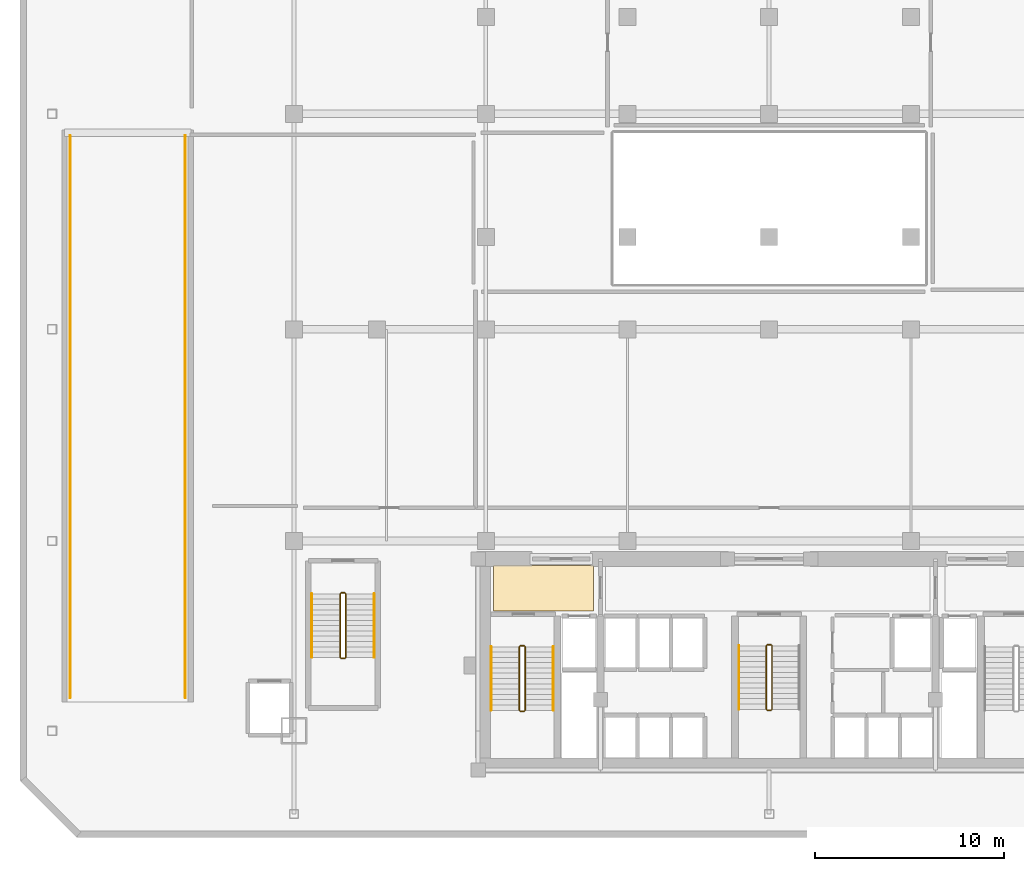
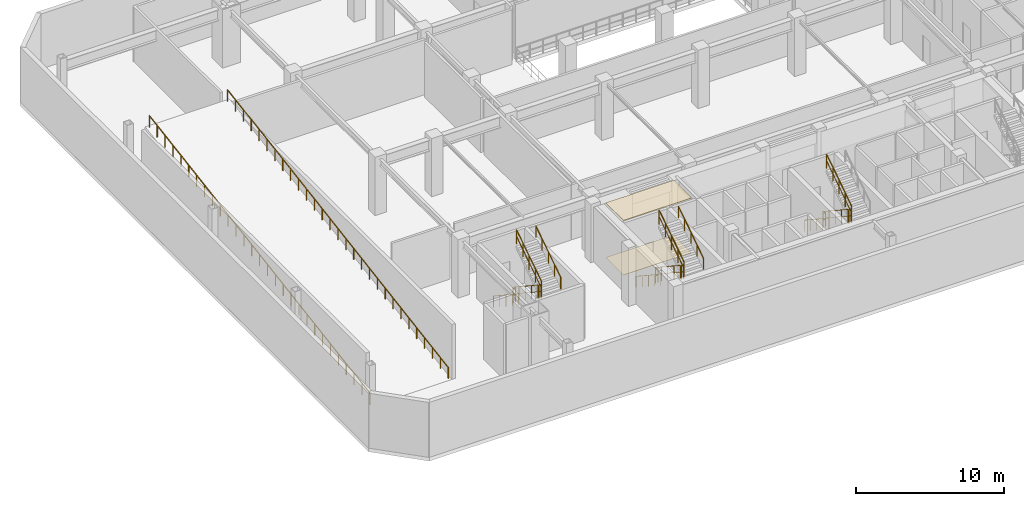
# One storey, part 15 of 16: 19 railings, 2 coverings.
"""IFC4 building model written with IfcOpenShell, lengths in metres."""

from ifc_helpers import new_model, si_unit, direction, frame, origin, origin_2d, place, context, subcontext, project, spatial, polyline, circle, outline, extrude, material, layer, layer_set, type_object, element, save


model = new_model("IFC4")

# Units and contexts
model_context = context("Model", 3, precision=1e-05, world=origin(), true_north=direction((0.0, 1.0)))
body_context = subcontext(model_context, "Body", "Model", "MODEL_VIEW")
ifc_project = project(units=[si_unit("LENGTHUNIT", "METRE"), si_unit("AREAUNIT", "SQUARE_METRE"), si_unit("VOLUMEUNIT", "CUBIC_METRE"), si_unit("PLANEANGLEUNIT", "RADIAN"), si_unit("MASSUNIT", "GRAM", prefix="KILO")], contexts=[model_context])

# Site, building, storey
site_placement = place(None, origin())
site = spatial("IfcSite", under=ifc_project, at=site_placement, CompositionType="ELEMENT")
building_placement = place(site_placement, origin())
building = spatial("IfcBuilding", under=site, at=building_placement, Name="Ventersveld Concourse Tower", CompositionType="ELEMENT")
storey_placement = place(building_placement, frame((0.0, 0.0, 10.199951171875)))
storey = spatial("IfcBuildingStorey", under=building, at=storey_placement, Name="L02", CompositionType="ELEMENT", Elevation=10.199951171875)

# Coverings
ifc_material_1 = material(Name="Mineral-fibre acoustic ceiling tile", Category="gypsum")
ifc_layer_1 = layer(ifc_material_1, 0.0400390625)
ifc_layer_set_1 = layer_set([ifc_layer_1], Name="Mineral-fibre acoustic ceiling tile")
covering_type_1 = type_object("IfcCoveringType", Name="COV-CEIL-ACOUSTIC", PredefinedType="CEILING", material=ifc_layer_set_1)
covering_1_placement = place(storey_placement, frame((0.0, 0.0, 4.47998046875)))
element("IfcCovering", 1, at=covering_1_placement, inside=storey, type_object=covering_type_1, Name="L02 West Firefighting Lobby Acoustic Ceiling", PredefinedType="CEILING", context=body_context, shape_type="SweptSolid", body=[
    extrude(outline(polyline([(14.14990234375, 8.699951171875), (19.449951171875, 8.699951171875), (19.449951171875, 11.10009765625), (14.14990234375, 11.10009765625), (14.14990234375, 8.699951171875)])), origin(), (0.0, 0.0, 1.0), 0.0400390625),
])
ifc_material_2 = material(Name="Polished Highveld granite terrazzo", Category="masonry")
ifc_layer_2 = layer(ifc_material_2, 0.02001953125)
ifc_layer_set_2 = layer_set([ifc_layer_2], Name="Polished Highveld granite terrazzo")
covering_type_2 = type_object("IfcCoveringType", Name="COV-FLOOR-TERRAZZO", PredefinedType="FLOORING", material=ifc_layer_set_2)
covering_2_placement = place(storey_placement, origin())
element("IfcCovering", 2, at=covering_2_placement, inside=storey, type_object=covering_type_2, Name="L02 West Firefighting Lobby Terrazzo Flooring", PredefinedType="FLOORING", context=body_context, shape_type="SweptSolid", body=[
    extrude(outline(polyline([(14.14990234375, 8.699951171875), (19.449951171875, 8.699951171875), (19.449951171875, 11.10009765625), (14.14990234375, 11.10009765625), (14.14990234375, 8.699951171875)])), origin(), (0.0, 0.0, 1.0), 0.02001953125),
])

# Railings
ifc_material_3 = material(Name="Brushed stainless steel 316", Category="steel")
railing_type_1 = type_object("IfcRailingType", Name="GD-BAL-115", PredefinedType="GUARDRAIL", material=ifc_material_3)
railing_1_placement = place(storey_placement, frame((15.530029296875, 6.800048828125, 0.1845703125)))
element("IfcRailing", 3, at=railing_1_placement, inside=storey, type_object=railing_type_1, Name="L02 ST-01 stair guard 1", PredefinedType="GUARDRAIL", context=body_context, shape_type="SweptSolid", body=[
    extrude(circle(Radius=0.02392578125, at=origin_2d()), frame((0.0, 0.0, 1.1259765625), z_axis=(0.0, -0.834848600103, 0.550479622607), x_axis=(1.0, 0.0, 0.0)), (0.0, 0.0, 1.0), 4.02490234375),
    extrude(circle(Radius=0.01611328125, at=origin_2d()), frame((0.0, 0.0, 0.574951171875), z_axis=(0.0, -0.834848600103, 0.550479622607), x_axis=(1.0, 0.0, 0.0)), (0.0, 0.0, 1.0), 4.02490234375),
    extrude(circle(Radius=0.02099609375, at=origin_2d()), origin(), (0.0, 0.0, 1.0), 1.101806640625),
    extrude(circle(Radius=0.02099609375, at=origin_2d()), frame((0.0, -0.840087890625, 0.553955078125)), (0.0, 0.0, 1.0), 1.101806640625),
    extrude(circle(Radius=0.02099609375, at=origin_2d()), frame((0.0, -1.68017578125, 1.10791015625)), (0.0, 0.0, 1.0), 1.101806640625),
    extrude(circle(Radius=0.02099609375, at=origin_2d()), frame((0.0, -2.52001953125, 1.66162109375)), (0.0, 0.0, 1.0), 1.101806640625),
    extrude(circle(Radius=0.02099609375, at=origin_2d()), frame((0.0, -3.360107421875, 2.215576171875)), (0.0, 0.0, 1.0), 1.101806640625),
])
railing_2_placement = place(storey_placement, frame((15.580078125, 3.389892578125, 2.400146484375)))
element("IfcRailing", 4, at=railing_2_placement, inside=storey, type_object=railing_type_1, Name="L02 ST-01 stair guard 2", PredefinedType="GUARDRAIL", context=body_context, shape_type="SweptSolid", body=[
    extrude(circle(Radius=0.02392578125, at=origin_2d()), frame((0.0, 0.0, 1.1259765625), z_axis=(1.0, 0.0, 0.0), x_axis=(0.0, 1.0, 0.0)), (0.0, 0.0, 1.0), 0.199951171875),
    extrude(circle(Radius=0.01611328125, at=origin_2d()), frame((0.0, 0.0, 0.574951171875), z_axis=(1.0, 0.0, 0.0), x_axis=(0.0, 1.0, 0.0)), (0.0, 0.0, 1.0), 0.199951171875),
    extrude(circle(Radius=0.02099609375, at=origin_2d()), origin(), (0.0, 0.0, 1.0), 1.101806640625),
    extrude(circle(Radius=0.02099609375, at=origin_2d()), frame((0.199951171875, 0.0, 0.0)), (0.0, 0.0, 1.0), 1.101806640625),
])
railing_3_placement = place(storey_placement, frame((15.830078125, 3.43994140625, 2.584716796875)))
element("IfcRailing", 5, at=railing_3_placement, inside=storey, type_object=railing_type_1, Name="L02 ST-01 stair guard 3", PredefinedType="GUARDRAIL", context=body_context, shape_type="SweptSolid", body=[
    extrude(circle(Radius=0.02392578125, at=origin_2d()), frame((0.0, 0.0, 1.1259765625), z_axis=(0.0, 0.834876476806, 0.550437342915), x_axis=(-1.0, 0.0, 0.0)), (0.0, 0.0, 1.0), 4.024658203125),
    extrude(circle(Radius=0.01611328125, at=origin_2d()), frame((0.0, 0.0, 0.574951171875), z_axis=(0.0, 0.834876476806, 0.550437342915), x_axis=(-1.0, 0.0, 0.0)), (0.0, 0.0, 1.0), 4.024658203125),
    extrude(circle(Radius=0.02099609375, at=origin_2d()), origin(), (0.0, 0.0, 1.0), 1.101806640625),
    extrude(circle(Radius=0.02099609375, at=origin_2d()), frame((0.0, 0.840087890625, 0.5537109375)), (0.0, 0.0, 1.0), 1.101806640625),
    extrude(circle(Radius=0.02099609375, at=origin_2d()), frame((0.0, 1.68017578125, 1.107666015625)), (0.0, 0.0, 1.0), 1.101806640625),
    extrude(circle(Radius=0.02099609375, at=origin_2d()), frame((0.0, 2.52001953125, 1.66162109375)), (0.0, 0.0, 1.0), 1.101806640625),
    extrude(circle(Radius=0.02099609375, at=origin_2d()), frame((0.0, 3.360107421875, 2.21533203125)), (0.0, 0.0, 1.0), 1.101806640625),
])
railing_4_placement = place(storey_placement, frame((15.580078125, 6.85009765625, 0.0)))
element("IfcRailing", 6, at=railing_4_placement, inside=storey, type_object=railing_type_1, Name="L02 ST-01 stair guard 4", PredefinedType="GUARDRAIL", context=body_context, shape_type="SweptSolid", body=[
    extrude(circle(Radius=0.02392578125, at=origin_2d()), frame((0.0, 0.0, 1.1259765625), z_axis=(1.0, 0.0, 0.0), x_axis=(0.0, 1.0, 0.0)), (0.0, 0.0, 1.0), 0.199951171875),
    extrude(circle(Radius=0.01611328125, at=origin_2d()), frame((0.0, 0.0, 0.574951171875), z_axis=(1.0, 0.0, 0.0), x_axis=(0.0, 1.0, 0.0)), (0.0, 0.0, 1.0), 0.199951171875),
    extrude(circle(Radius=0.02099609375, at=origin_2d()), origin(), (0.0, 0.0, 1.0), 1.101806640625),
    extrude(circle(Radius=0.02099609375, at=origin_2d()), frame((0.199951171875, 0.0, 0.0)), (0.0, 0.0, 1.0), 1.101806640625),
])
railing_5_placement = place(storey_placement, frame((28.60009765625, 6.85009765625, 0.1845703125)))
element("IfcRailing", 7, at=railing_5_placement, inside=storey, type_object=railing_type_1, Name="L02 ST-03 stair guard 1", PredefinedType="GUARDRAIL", context=body_context, shape_type="SweptSolid", body=[
    extrude(circle(Radius=0.02392578125, at=origin_2d()), frame((0.0, 0.0, 1.1259765625), z_axis=(0.0, -0.834848600103, 0.550479622607), x_axis=(1.0, 0.0, 0.0)), (0.0, 0.0, 1.0), 4.02490234375),
    extrude(circle(Radius=0.01611328125, at=origin_2d()), frame((0.0, 0.0, 0.574951171875), z_axis=(0.0, -0.834848600103, 0.550479622607), x_axis=(1.0, 0.0, 0.0)), (0.0, 0.0, 1.0), 4.02490234375),
    extrude(circle(Radius=0.02099609375, at=origin_2d()), origin(), (0.0, 0.0, 1.0), 1.101806640625),
    extrude(circle(Radius=0.02099609375, at=origin_2d()), frame((0.0, -0.840087890625, 0.553955078125)), (0.0, 0.0, 1.0), 1.101806640625),
    extrude(circle(Radius=0.02099609375, at=origin_2d()), frame((0.0, -1.68017578125, 1.10791015625)), (0.0, 0.0, 1.0), 1.101806640625),
    extrude(circle(Radius=0.02099609375, at=origin_2d()), frame((0.0, -2.52001953125, 1.66162109375)), (0.0, 0.0, 1.0), 1.101806640625),
    extrude(circle(Radius=0.02099609375, at=origin_2d()), frame((0.0, -3.360107421875, 2.215576171875)), (0.0, 0.0, 1.0), 1.101806640625),
])
railing_6_placement = place(storey_placement, frame((28.64990234375, 3.43994140625, 2.400146484375)))
element("IfcRailing", 8, at=railing_6_placement, inside=storey, type_object=railing_type_1, Name="L02 ST-03 stair guard 2", PredefinedType="GUARDRAIL", context=body_context, shape_type="SweptSolid", body=[
    extrude(circle(Radius=0.02392578125, at=origin_2d()), frame((0.0, 0.0, 1.1259765625), z_axis=(1.0, 0.0, 0.0), x_axis=(0.0, 1.0, 0.0)), (0.0, 0.0, 1.0), 0.2001953125),
    extrude(circle(Radius=0.01611328125, at=origin_2d()), frame((0.0, 0.0, 0.574951171875), z_axis=(1.0, 0.0, 0.0), x_axis=(0.0, 1.0, 0.0)), (0.0, 0.0, 1.0), 0.2001953125),
    extrude(circle(Radius=0.02099609375, at=origin_2d()), origin(), (0.0, 0.0, 1.0), 1.101806640625),
    extrude(circle(Radius=0.02099609375, at=origin_2d()), frame((0.2001953125, 0.0, 0.0)), (0.0, 0.0, 1.0), 1.101806640625),
])
railing_7_placement = place(storey_placement, frame((28.89990234375, 3.489990234375, 2.584716796875)))
element("IfcRailing", 9, at=railing_7_placement, inside=storey, type_object=railing_type_1, Name="L02 ST-03 stair guard 3", PredefinedType="GUARDRAIL", context=body_context, shape_type="SweptSolid", body=[
    extrude(circle(Radius=0.02392578125, at=origin_2d()), frame((0.0, 0.0, 1.1259765625), z_axis=(0.0, 0.834876476806, 0.550437342915), x_axis=(-1.0, 0.0, 0.0)), (0.0, 0.0, 1.0), 4.024658203125),
    extrude(circle(Radius=0.01611328125, at=origin_2d()), frame((0.0, 0.0, 0.574951171875), z_axis=(0.0, 0.834876476806, 0.550437342915), x_axis=(-1.0, 0.0, 0.0)), (0.0, 0.0, 1.0), 4.024658203125),
    extrude(circle(Radius=0.02099609375, at=origin_2d()), origin(), (0.0, 0.0, 1.0), 1.101806640625),
    extrude(circle(Radius=0.02099609375, at=origin_2d()), frame((0.0, 0.840087890625, 0.5537109375)), (0.0, 0.0, 1.0), 1.101806640625),
    extrude(circle(Radius=0.02099609375, at=origin_2d()), frame((0.0, 1.68017578125, 1.107666015625)), (0.0, 0.0, 1.0), 1.101806640625),
    extrude(circle(Radius=0.02099609375, at=origin_2d()), frame((0.0, 2.52001953125, 1.66162109375)), (0.0, 0.0, 1.0), 1.101806640625),
    extrude(circle(Radius=0.02099609375, at=origin_2d()), frame((0.0, 3.360107421875, 2.21533203125)), (0.0, 0.0, 1.0), 1.101806640625),
])
railing_8_placement = place(storey_placement, frame((28.64990234375, 6.89990234375, 0.0)))
element("IfcRailing", 10, at=railing_8_placement, inside=storey, type_object=railing_type_1, Name="L02 ST-03 stair guard 4", PredefinedType="GUARDRAIL", context=body_context, shape_type="SweptSolid", body=[
    extrude(circle(Radius=0.02392578125, at=origin_2d()), frame((0.0, 0.0, 1.1259765625), z_axis=(1.0, 0.0, 0.0), x_axis=(0.0, 1.0, 0.0)), (0.0, 0.0, 1.0), 0.2001953125),
    extrude(circle(Radius=0.01611328125, at=origin_2d()), frame((0.0, 0.0, 0.574951171875), z_axis=(1.0, 0.0, 0.0), x_axis=(0.0, 1.0, 0.0)), (0.0, 0.0, 1.0), 0.2001953125),
    extrude(circle(Radius=0.02099609375, at=origin_2d()), origin(), (0.0, 0.0, 1.0), 1.101806640625),
    extrude(circle(Radius=0.02099609375, at=origin_2d()), frame((0.2001953125, 0.0, 0.0)), (0.0, 0.0, 1.0), 1.101806640625),
])
railing_9_placement = place(storey_placement, frame((6.050048828125, 9.60009765625, 0.1845703125)))
element("IfcRailing", 11, at=railing_9_placement, inside=storey, type_object=railing_type_1, Name="L02 ST-04 stair guard 1", PredefinedType="GUARDRAIL", context=body_context, shape_type="SweptSolid", body=[
    extrude(circle(Radius=0.02392578125, at=origin_2d()), frame((0.0, 0.0, 1.1259765625), z_axis=(0.0, -0.834848600103, 0.550479622607), x_axis=(1.0, 0.0, 0.0)), (0.0, 0.0, 1.0), 4.02490234375),
    extrude(circle(Radius=0.01611328125, at=origin_2d()), frame((0.0, 0.0, 0.574951171875), z_axis=(0.0, -0.834848600103, 0.550479622607), x_axis=(1.0, 0.0, 0.0)), (0.0, 0.0, 1.0), 4.02490234375),
    extrude(circle(Radius=0.02099609375, at=origin_2d()), origin(), (0.0, 0.0, 1.0), 1.101806640625),
    extrude(circle(Radius=0.02099609375, at=origin_2d()), frame((0.0, -0.840087890625, 0.553955078125)), (0.0, 0.0, 1.0), 1.101806640625),
    extrude(circle(Radius=0.02099609375, at=origin_2d()), frame((0.0, -1.68017578125, 1.10791015625)), (0.0, 0.0, 1.0), 1.101806640625),
    extrude(circle(Radius=0.02099609375, at=origin_2d()), frame((0.0, -2.52001953125, 1.66162109375)), (0.0, 0.0, 1.0), 1.101806640625),
    extrude(circle(Radius=0.02099609375, at=origin_2d()), frame((0.0, -3.360107421875, 2.215576171875)), (0.0, 0.0, 1.0), 1.101806640625),
])
railing_10_placement = place(storey_placement, frame((6.10009765625, 6.18994140625, 2.400146484375)))
element("IfcRailing", 12, at=railing_10_placement, inside=storey, type_object=railing_type_1, Name="L02 ST-04 stair guard 2", PredefinedType="GUARDRAIL", context=body_context, shape_type="SweptSolid", body=[
    extrude(circle(Radius=0.02392578125, at=origin_2d()), frame((0.0, 0.0, 1.1259765625), z_axis=(1.0, 0.0, 0.0), x_axis=(0.0, 1.0, 0.0)), (0.0, 0.0, 1.0), 0.199951171875),
    extrude(circle(Radius=0.01611328125, at=origin_2d()), frame((0.0, 0.0, 0.574951171875), z_axis=(1.0, 0.0, 0.0), x_axis=(0.0, 1.0, 0.0)), (0.0, 0.0, 1.0), 0.199951171875),
    extrude(circle(Radius=0.02099609375, at=origin_2d()), origin(), (0.0, 0.0, 1.0), 1.101806640625),
    extrude(circle(Radius=0.02099609375, at=origin_2d()), frame((0.199951171875, 0.0, 0.0)), (0.0, 0.0, 1.0), 1.101806640625),
])
railing_11_placement = place(storey_placement, frame((6.35009765625, 6.239990234375, 2.584716796875)))
element("IfcRailing", 13, at=railing_11_placement, inside=storey, type_object=railing_type_1, Name="L02 ST-04 stair guard 3", PredefinedType="GUARDRAIL", context=body_context, shape_type="SweptSolid", body=[
    extrude(circle(Radius=0.02392578125, at=origin_2d()), frame((0.0, 0.0, 1.1259765625), z_axis=(0.0, 0.834876476806, 0.550437342915), x_axis=(-1.0, 0.0, 0.0)), (0.0, 0.0, 1.0), 4.024658203125),
    extrude(circle(Radius=0.01611328125, at=origin_2d()), frame((0.0, 0.0, 0.574951171875), z_axis=(0.0, 0.834876476806, 0.550437342915), x_axis=(-1.0, 0.0, 0.0)), (0.0, 0.0, 1.0), 4.024658203125),
    extrude(circle(Radius=0.02099609375, at=origin_2d()), origin(), (0.0, 0.0, 1.0), 1.101806640625),
    extrude(circle(Radius=0.02099609375, at=origin_2d()), frame((0.0, 0.840087890625, 0.5537109375)), (0.0, 0.0, 1.0), 1.101806640625),
    extrude(circle(Radius=0.02099609375, at=origin_2d()), frame((0.0, 1.68017578125, 1.107666015625)), (0.0, 0.0, 1.0), 1.101806640625),
    extrude(circle(Radius=0.02099609375, at=origin_2d()), frame((0.0, 2.52001953125, 1.66162109375)), (0.0, 0.0, 1.0), 1.101806640625),
    extrude(circle(Radius=0.02099609375, at=origin_2d()), frame((0.0, 3.360107421875, 2.21533203125)), (0.0, 0.0, 1.0), 1.101806640625),
])
railing_12_placement = place(storey_placement, frame((6.10009765625, 9.64990234375, 0.0)))
element("IfcRailing", 14, at=railing_12_placement, inside=storey, type_object=railing_type_1, Name="L02 ST-04 stair guard 4", PredefinedType="GUARDRAIL", context=body_context, shape_type="SweptSolid", body=[
    extrude(circle(Radius=0.02392578125, at=origin_2d()), frame((0.0, 0.0, 1.1259765625), z_axis=(1.0, 0.0, 0.0), x_axis=(0.0, 1.0, 0.0)), (0.0, 0.0, 1.0), 0.199951171875),
    extrude(circle(Radius=0.01611328125, at=origin_2d()), frame((0.0, 0.0, 0.574951171875), z_axis=(1.0, 0.0, 0.0), x_axis=(0.0, 1.0, 0.0)), (0.0, 0.0, 1.0), 0.199951171875),
    extrude(circle(Radius=0.02099609375, at=origin_2d()), origin(), (0.0, 0.0, 1.0), 1.101806640625),
    extrude(circle(Radius=0.02099609375, at=origin_2d()), frame((0.199951171875, 0.0, 0.0)), (0.0, 0.0, 1.0), 1.101806640625),
])
railing_type_2 = type_object("IfcRailingType", Name="HR-RMP-095", PredefinedType="HANDRAIL", material=ifc_material_3)
railing_13_placement = place(storey_placement, frame((14.030029296875, 6.800048828125, 0.1845703125)))
element("IfcRailing", 15, at=railing_13_placement, inside=storey, type_object=railing_type_2, Name="L02 ST-01 stair handrail 1", PredefinedType="HANDRAIL", context=body_context, shape_type="SweptSolid", body=[
    extrude(circle(Radius=0.02392578125, at=origin_2d()), frame((0.0, 0.0, 0.92578125), z_axis=(0.0, -0.834848600103, 0.550479622607), x_axis=(1.0, 0.0, 0.0)), (0.0, 0.0, 1.0), 4.02490234375),
    extrude(circle(Radius=0.02099609375, at=origin_2d()), origin(), (0.0, 0.0, 1.0), 0.90185546875),
    extrude(circle(Radius=0.02099609375, at=origin_2d()), frame((0.0, -0.840087890625, 0.553955078125)), (0.0, 0.0, 1.0), 0.90185546875),
    extrude(circle(Radius=0.02099609375, at=origin_2d()), frame((0.0, -1.68017578125, 1.10791015625)), (0.0, 0.0, 1.0), 0.90185546875),
    extrude(circle(Radius=0.02099609375, at=origin_2d()), frame((0.0, -2.52001953125, 1.66162109375)), (0.0, 0.0, 1.0), 0.90185546875),
    extrude(circle(Radius=0.02099609375, at=origin_2d()), frame((0.0, -3.360107421875, 2.215576171875)), (0.0, 0.0, 1.0), 0.90185546875),
])
railing_14_placement = place(storey_placement, frame((17.330078125, 3.43994140625, 2.584716796875)))
element("IfcRailing", 16, at=railing_14_placement, inside=storey, type_object=railing_type_2, Name="L02 ST-01 stair handrail 2", PredefinedType="HANDRAIL", context=body_context, shape_type="SweptSolid", body=[
    extrude(circle(Radius=0.02392578125, at=origin_2d()), frame((0.0, 0.0, 0.92578125), z_axis=(0.0, 0.834876476806, 0.550437342915), x_axis=(-1.0, 0.0, 0.0)), (0.0, 0.0, 1.0), 4.024658203125),
    extrude(circle(Radius=0.02099609375, at=origin_2d()), origin(), (0.0, 0.0, 1.0), 0.90185546875),
    extrude(circle(Radius=0.02099609375, at=origin_2d()), frame((0.0, 0.840087890625, 0.5537109375)), (0.0, 0.0, 1.0), 0.90185546875),
    extrude(circle(Radius=0.02099609375, at=origin_2d()), frame((0.0, 1.68017578125, 1.107666015625)), (0.0, 0.0, 1.0), 0.90185546875),
    extrude(circle(Radius=0.02099609375, at=origin_2d()), frame((0.0, 2.52001953125, 1.66162109375)), (0.0, 0.0, 1.0), 0.90185546875),
    extrude(circle(Radius=0.02099609375, at=origin_2d()), frame((0.0, 3.360107421875, 2.21533203125)), (0.0, 0.0, 1.0), 0.90185546875),
])
for number, where, name in (
    (17, (27.14990234375, 6.85009765625, 0.1845703125), "L02 ST-03 stair handrail 1"),
    (18, (4.550048828125, 9.60009765625, 0.1845703125), "L02 ST-04 stair handrail 1"),
):
    element("IfcRailing", number, at=place(storey_placement, frame(where)), inside=storey, type_object=railing_type_2, Name=name, PredefinedType="HANDRAIL", context=body_context, shape_type="SweptSolid", body=[
        extrude(circle(Radius=0.02392578125, at=origin_2d()), frame((0.0, 0.0, 0.92578125), z_axis=(0.0, -0.834848600103, 0.550479622607), x_axis=(1.0, 0.0, 0.0)), (0.0, 0.0, 1.0), 4.02490234375),
        extrude(circle(Radius=0.02099609375, at=origin_2d()), origin(), (0.0, 0.0, 1.0), 0.90185546875),
        extrude(circle(Radius=0.02099609375, at=origin_2d()), frame((0.0, -0.840087890625, 0.553955078125)), (0.0, 0.0, 1.0), 0.90185546875),
        extrude(circle(Radius=0.02099609375, at=origin_2d()), frame((0.0, -1.68017578125, 1.10791015625)), (0.0, 0.0, 1.0), 0.90185546875),
        extrude(circle(Radius=0.02099609375, at=origin_2d()), frame((0.0, -2.52001953125, 1.66162109375)), (0.0, 0.0, 1.0), 0.90185546875),
        extrude(circle(Radius=0.02099609375, at=origin_2d()), frame((0.0, -3.360107421875, 2.215576171875)), (0.0, 0.0, 1.0), 0.90185546875),
    ])
railing_15_placement = place(storey_placement, frame((7.85009765625, 6.239990234375, 2.584716796875)))
element("IfcRailing", 19, at=railing_15_placement, inside=storey, type_object=railing_type_2, Name="L02 ST-04 stair handrail 2", PredefinedType="HANDRAIL", context=body_context, shape_type="SweptSolid", body=[
    extrude(circle(Radius=0.02392578125, at=origin_2d()), frame((0.0, 0.0, 0.92578125), z_axis=(0.0, 0.834876476806, 0.550437342915), x_axis=(-1.0, 0.0, 0.0)), (0.0, 0.0, 1.0), 4.024658203125),
    extrude(circle(Radius=0.02099609375, at=origin_2d()), origin(), (0.0, 0.0, 1.0), 0.90185546875),
    extrude(circle(Radius=0.02099609375, at=origin_2d()), frame((0.0, 0.840087890625, 0.5537109375)), (0.0, 0.0, 1.0), 0.90185546875),
    extrude(circle(Radius=0.02099609375, at=origin_2d()), frame((0.0, 1.68017578125, 1.107666015625)), (0.0, 0.0, 1.0), 0.90185546875),
    extrude(circle(Radius=0.02099609375, at=origin_2d()), frame((0.0, 2.52001953125, 1.66162109375)), (0.0, 0.0, 1.0), 0.90185546875),
    extrude(circle(Radius=0.02099609375, at=origin_2d()), frame((0.0, 3.360107421875, 2.21533203125)), (0.0, 0.0, 1.0), 0.90185546875),
])
railing_16_placement = place(storey_placement, frame((-8.25, 4.10009765625, 0.0)))
element("IfcRailing", 20, at=railing_16_placement, inside=storey, type_object=railing_type_2, Name="L02 Vehicular Ramp Handrail W", PredefinedType="HANDRAIL", context=body_context, shape_type="SweptSolid", body=[
    extrude(circle(Radius=0.02392578125, at=origin_2d()), frame((0.0, 0.0, 0.92578125), z_axis=(0.0, 0.987232450668, 0.159286183795), x_axis=(-1.0, 0.0, 0.0)), (0.0, 0.0, 1.0), 30.134765625),
    extrude(circle(Radius=0.02099609375, at=origin_2d()), origin(), (0.0, 0.0, 1.0), 0.90185546875),
    extrude(circle(Radius=0.02099609375, at=origin_2d()), frame((0.0, 1.0625, 0.17138671875)), (0.0, 0.0, 1.0), 0.90185546875),
    extrude(circle(Radius=0.02099609375, at=origin_2d()), frame((0.0, 2.125, 0.3427734375)), (0.0, 0.0, 1.0), 0.90185546875),
    extrude(circle(Radius=0.02099609375, at=origin_2d()), frame((0.0, 3.1875, 0.514404296875)), (0.0, 0.0, 1.0), 0.90185546875),
    extrude(circle(Radius=0.02099609375, at=origin_2d()), frame((0.0, 4.25, 0.685791015625)), (0.0, 0.0, 1.0), 0.90185546875),
    extrude(circle(Radius=0.02099609375, at=origin_2d()), frame((0.0, 5.3125, 0.857177734375)), (0.0, 0.0, 1.0), 0.90185546875),
    extrude(circle(Radius=0.02099609375, at=origin_2d()), frame((0.0, 6.375, 1.028564453125)), (0.0, 0.0, 1.0), 0.90185546875),
    extrude(circle(Radius=0.02099609375, at=origin_2d()), frame((0.0, 7.4375, 1.199951171875)), (0.0, 0.0, 1.0), 0.90185546875),
    extrude(circle(Radius=0.02099609375, at=origin_2d()), frame((0.0, 8.5, 1.371337890625)), (0.0, 0.0, 1.0), 0.90185546875),
    extrude(circle(Radius=0.02099609375, at=origin_2d()), frame((0.0, 9.5625, 1.54296875)), (0.0, 0.0, 1.0), 0.90185546875),
    extrude(circle(Radius=0.02099609375, at=origin_2d()), frame((0.0, 10.625, 1.71435546875)), (0.0, 0.0, 1.0), 0.90185546875),
    extrude(circle(Radius=0.02099609375, at=origin_2d()), frame((0.0, 11.6875, 1.8857421875)), (0.0, 0.0, 1.0), 0.90185546875),
    extrude(circle(Radius=0.02099609375, at=origin_2d()), frame((0.0, 12.75, 2.05712890625)), (0.0, 0.0, 1.0), 0.90185546875),
    extrude(circle(Radius=0.02099609375, at=origin_2d()), frame((0.0, 13.8125, 2.228515625)), (0.0, 0.0, 1.0), 0.90185546875),
    extrude(circle(Radius=0.02099609375, at=origin_2d()), frame((0.0, 14.875, 2.39990234375)), (0.0, 0.0, 1.0), 0.90185546875),
    extrude(circle(Radius=0.02099609375, at=origin_2d()), frame((0.0, 15.9375, 2.571533203125)), (0.0, 0.0, 1.0), 0.90185546875),
    extrude(circle(Radius=0.02099609375, at=origin_2d()), frame((0.0, 17.0, 2.742919921875)), (0.0, 0.0, 1.0), 0.90185546875),
    extrude(circle(Radius=0.02099609375, at=origin_2d()), frame((0.0, 18.0625, 2.914306640625)), (0.0, 0.0, 1.0), 0.90185546875),
    extrude(circle(Radius=0.02099609375, at=origin_2d()), frame((0.0, 19.125, 3.085693359375)), (0.0, 0.0, 1.0), 0.90185546875),
    extrude(circle(Radius=0.02099609375, at=origin_2d()), frame((0.0, 20.1875, 3.257080078125)), (0.0, 0.0, 1.0), 0.90185546875),
    extrude(circle(Radius=0.02099609375, at=origin_2d()), frame((0.0, 21.25, 3.4287109375)), (0.0, 0.0, 1.0), 0.90185546875),
    extrude(circle(Radius=0.02099609375, at=origin_2d()), frame((0.0, 22.3125, 3.60009765625)), (0.0, 0.0, 1.0), 0.90185546875),
    extrude(circle(Radius=0.02099609375, at=origin_2d()), frame((0.0, 23.375, 3.771484375)), (0.0, 0.0, 1.0), 0.90185546875),
    extrude(circle(Radius=0.02099609375, at=origin_2d()), frame((0.0, 24.4375, 3.94287109375)), (0.0, 0.0, 1.0), 0.90185546875),
    extrude(circle(Radius=0.02099609375, at=origin_2d()), frame((0.0, 25.5, 4.1142578125)), (0.0, 0.0, 1.0), 0.90185546875),
    extrude(circle(Radius=0.02099609375, at=origin_2d()), frame((0.0, 26.5625, 4.28564453125)), (0.0, 0.0, 1.0), 0.90185546875),
    extrude(circle(Radius=0.02099609375, at=origin_2d()), frame((0.0, 27.625, 4.457275390625)), (0.0, 0.0, 1.0), 0.90185546875),
    extrude(circle(Radius=0.02099609375, at=origin_2d()), frame((0.0, 28.6875, 4.628662109375)), (0.0, 0.0, 1.0), 0.90185546875),
    extrude(circle(Radius=0.02099609375, at=origin_2d()), frame((0.0, 29.75, 4.800048828125)), (0.0, 0.0, 1.0), 0.90185546875),
])
railing_17_placement = place(storey_placement, frame((-2.14990234375, 4.10009765625, 0.0)))
element("IfcRailing", 21, at=railing_17_placement, inside=storey, type_object=railing_type_2, Name="L02 Vehicular Ramp Handrail E", PredefinedType="HANDRAIL", context=body_context, shape_type="SweptSolid", body=[
    extrude(circle(Radius=0.02392578125, at=origin_2d()), frame((0.0, 0.0, 0.92578125), z_axis=(0.0, 0.987232450668, 0.159286183795), x_axis=(-1.0, 0.0, 0.0)), (0.0, 0.0, 1.0), 30.134765625),
    extrude(circle(Radius=0.02099609375, at=origin_2d()), origin(), (0.0, 0.0, 1.0), 0.90185546875),
    extrude(circle(Radius=0.02099609375, at=origin_2d()), frame((0.0, 1.0625, 0.17138671875)), (0.0, 0.0, 1.0), 0.90185546875),
    extrude(circle(Radius=0.02099609375, at=origin_2d()), frame((0.0, 2.125, 0.3427734375)), (0.0, 0.0, 1.0), 0.90185546875),
    extrude(circle(Radius=0.02099609375, at=origin_2d()), frame((0.0, 3.1875, 0.514404296875)), (0.0, 0.0, 1.0), 0.90185546875),
    extrude(circle(Radius=0.02099609375, at=origin_2d()), frame((0.0, 4.25, 0.685791015625)), (0.0, 0.0, 1.0), 0.90185546875),
    extrude(circle(Radius=0.02099609375, at=origin_2d()), frame((0.0, 5.3125, 0.857177734375)), (0.0, 0.0, 1.0), 0.90185546875),
    extrude(circle(Radius=0.02099609375, at=origin_2d()), frame((0.0, 6.375, 1.028564453125)), (0.0, 0.0, 1.0), 0.90185546875),
    extrude(circle(Radius=0.02099609375, at=origin_2d()), frame((0.0, 7.4375, 1.199951171875)), (0.0, 0.0, 1.0), 0.90185546875),
    extrude(circle(Radius=0.02099609375, at=origin_2d()), frame((0.0, 8.5, 1.371337890625)), (0.0, 0.0, 1.0), 0.90185546875),
    extrude(circle(Radius=0.02099609375, at=origin_2d()), frame((0.0, 9.5625, 1.54296875)), (0.0, 0.0, 1.0), 0.90185546875),
    extrude(circle(Radius=0.02099609375, at=origin_2d()), frame((0.0, 10.625, 1.71435546875)), (0.0, 0.0, 1.0), 0.90185546875),
    extrude(circle(Radius=0.02099609375, at=origin_2d()), frame((0.0, 11.6875, 1.8857421875)), (0.0, 0.0, 1.0), 0.90185546875),
    extrude(circle(Radius=0.02099609375, at=origin_2d()), frame((0.0, 12.75, 2.05712890625)), (0.0, 0.0, 1.0), 0.90185546875),
    extrude(circle(Radius=0.02099609375, at=origin_2d()), frame((0.0, 13.8125, 2.228515625)), (0.0, 0.0, 1.0), 0.90185546875),
    extrude(circle(Radius=0.02099609375, at=origin_2d()), frame((0.0, 14.875, 2.39990234375)), (0.0, 0.0, 1.0), 0.90185546875),
    extrude(circle(Radius=0.02099609375, at=origin_2d()), frame((0.0, 15.9375, 2.571533203125)), (0.0, 0.0, 1.0), 0.90185546875),
    extrude(circle(Radius=0.02099609375, at=origin_2d()), frame((0.0, 17.0, 2.742919921875)), (0.0, 0.0, 1.0), 0.90185546875),
    extrude(circle(Radius=0.02099609375, at=origin_2d()), frame((0.0, 18.0625, 2.914306640625)), (0.0, 0.0, 1.0), 0.90185546875),
    extrude(circle(Radius=0.02099609375, at=origin_2d()), frame((0.0, 19.125, 3.085693359375)), (0.0, 0.0, 1.0), 0.90185546875),
    extrude(circle(Radius=0.02099609375, at=origin_2d()), frame((0.0, 20.1875, 3.257080078125)), (0.0, 0.0, 1.0), 0.90185546875),
    extrude(circle(Radius=0.02099609375, at=origin_2d()), frame((0.0, 21.25, 3.4287109375)), (0.0, 0.0, 1.0), 0.90185546875),
    extrude(circle(Radius=0.02099609375, at=origin_2d()), frame((0.0, 22.3125, 3.60009765625)), (0.0, 0.0, 1.0), 0.90185546875),
    extrude(circle(Radius=0.02099609375, at=origin_2d()), frame((0.0, 23.375, 3.771484375)), (0.0, 0.0, 1.0), 0.90185546875),
    extrude(circle(Radius=0.02099609375, at=origin_2d()), frame((0.0, 24.4375, 3.94287109375)), (0.0, 0.0, 1.0), 0.90185546875),
    extrude(circle(Radius=0.02099609375, at=origin_2d()), frame((0.0, 25.5, 4.1142578125)), (0.0, 0.0, 1.0), 0.90185546875),
    extrude(circle(Radius=0.02099609375, at=origin_2d()), frame((0.0, 26.5625, 4.28564453125)), (0.0, 0.0, 1.0), 0.90185546875),
    extrude(circle(Radius=0.02099609375, at=origin_2d()), frame((0.0, 27.625, 4.457275390625)), (0.0, 0.0, 1.0), 0.90185546875),
    extrude(circle(Radius=0.02099609375, at=origin_2d()), frame((0.0, 28.6875, 4.628662109375)), (0.0, 0.0, 1.0), 0.90185546875),
    extrude(circle(Radius=0.02099609375, at=origin_2d()), frame((0.0, 29.75, 4.800048828125)), (0.0, 0.0, 1.0), 0.90185546875),
])

save(model, "model.ifc")
